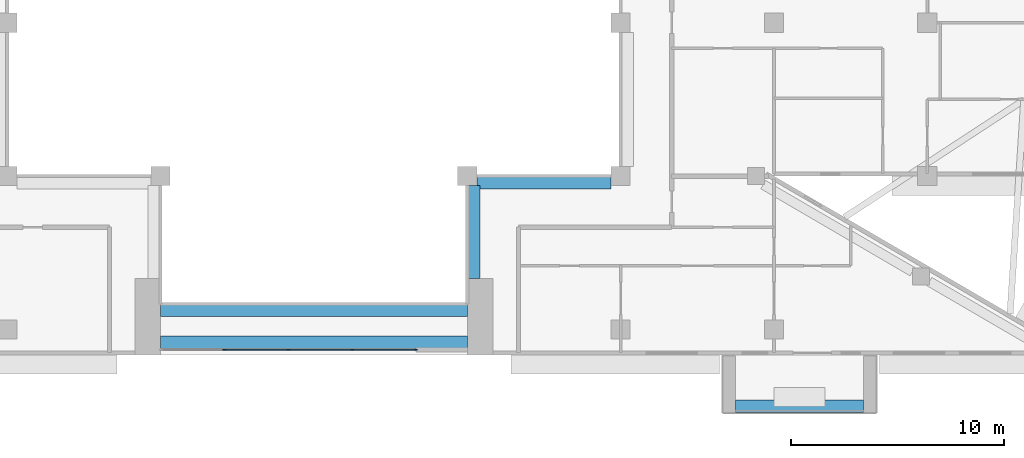
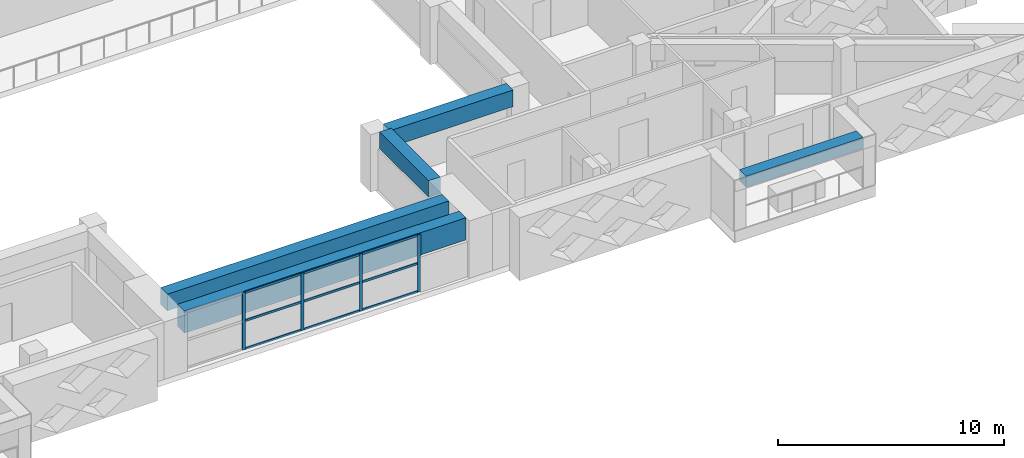
# One storey, part 4 of 20: 13 members, 5 beams, 1 element without a shape of its own.
"""IFC4 building model written with IfcOpenShell, lengths in metres."""

from ifc_helpers import new_model, si_unit, direction, frame, origin, origin_2d, place, context, subcontext, project, spatial, rectangle, extrude, source, transform, mapped, material, layer, layer_set, material_profile, profile_set, type_object, element, aggregate, save


model = new_model("IFC4")

# Units and contexts
model_context = context("Model", 3, precision=1e-05, world=origin(), true_north=direction((0.0, 1.0)))
body_context = subcontext(model_context, "Body", "Model", "MODEL_VIEW")
ifc_project = project(units=[si_unit("LENGTHUNIT", "METRE"), si_unit("AREAUNIT", "SQUARE_METRE"), si_unit("VOLUMEUNIT", "CUBIC_METRE"), si_unit("PLANEANGLEUNIT", "RADIAN"), si_unit("MASSUNIT", "GRAM", prefix="KILO")], contexts=[model_context])

# Site, building, storey
site_placement = place(None, origin())
site = spatial("IfcSite", under=ifc_project, at=site_placement, CompositionType="ELEMENT")
building_placement = place(site_placement, origin())
building = spatial("IfcBuilding", under=site, at=building_placement, Name="Saffron Iwan Residences", CompositionType="ELEMENT")
storey_placement = place(building_placement, frame((0.0, 0.0, 202.5)))
storey = spatial("IfcBuildingStorey", under=building, at=storey_placement, Name="L54", CompositionType="ELEMENT", Elevation=202.5)

# Beams
ifc_material_1 = material(Name="Concrete C50/60", Category="concrete")
ifc_material_profile_1 = material_profile(ifc_material_1, rectangle(XDim=0.60009765625, YDim=1.199951171875, at=origin_2d()), Name="RC 600x1200")
ifc_profile_set_1 = profile_set([ifc_material_profile_1], Name="Concrete C50/60")
beam_type_1 = type_object("IfcBeamType", Name="LINTEL BEAM RC 600x1200 C50/60 TOP 3100", PredefinedType="LINTEL", material=ifc_profile_set_1)
shared_shape_1 = source(origin(), body_context, "Body", "SweptSolid", [
    extrude(rectangle(XDim=0.60009765625, YDim=1.199951171875, at=origin_2d()), origin(), (0.0, 0.0, 1.0), 14.400146484375),
])
beam_1_placement = place(storey_placement, frame((57.60009765625, 40.199951171875, 2.5), z_axis=(-1.0, 0.0, 0.0), x_axis=(0.0, -1.0, 0.0)))
element("IfcBeam", 1, at=beam_1_placement, inside=storey, type_object=beam_type_1, Name="Lintel beam over the iwan", PredefinedType="LINTEL", context=body_context, shape_type="MappedRepresentation", body=[
    mapped(shared_shape_1, transform((0.0, 0.0, 0.0))),
])
ifc_material_profile_2 = material_profile(ifc_material_1, rectangle(XDim=0.60009765625, YDim=0.89990234375, at=origin_2d()), Name="RC 600x900")
ifc_profile_set_2 = profile_set([ifc_material_profile_2], Name="Concrete C50/60")
beam_type_2 = type_object("IfcBeamType", Name="BEAM RC 600x900 C50/60 TOP 3100", PredefinedType="BEAM", material=ifc_profile_set_2)
shared_shape_2 = source(origin(), body_context, "Body", "SweptSolid", [
    extrude(rectangle(XDim=0.60009765625, YDim=0.89990234375, at=origin_2d()), origin(), (0.0, 0.0, 1.0), 14.400146484375),
])
beam_2_placement = place(storey_placement, frame((57.60009765625, 41.699951171875, 2.64990234375), z_axis=(-1.0, 0.0, 0.0), x_axis=(0.0, -1.0, 0.0)))
element("IfcBeam", 2, at=beam_2_placement, inside=storey, type_object=beam_type_2, Name="Atrium edge beam", PredefinedType="BEAM", context=body_context, shape_type="MappedRepresentation", body=[
    mapped(shared_shape_2, transform((0.0, 0.0, 0.0))),
])
shared_shape_3 = source(origin(), body_context, "Body", "SweptSolid", [
    extrude(rectangle(XDim=0.60009765625, YDim=0.89990234375, at=origin_2d()), origin(), (0.0, 0.0, 1.0), 4.35009765625),
])
beam_3_placement = place(storey_placement, frame((57.89990234375, 47.550048828125, 2.64990234375), z_axis=(0.0, -1.0, 0.0), x_axis=(1.0, 0.0, 0.0)))
element("IfcBeam", 3, at=beam_3_placement, inside=storey, type_object=beam_type_2, Name="Atrium edge beam", PredefinedType="BEAM", context=body_context, shape_type="MappedRepresentation", body=[
    mapped(shared_shape_3, transform((0.0, 0.0, 0.0))),
])
shared_shape_4 = source(origin(), body_context, "Body", "SweptSolid", [
    extrude(rectangle(XDim=0.60009765625, YDim=0.89990234375, at=origin_2d()), origin(), (0.0, 0.0, 1.0), 6.300048828125),
])
beam_4_placement = place(storey_placement, frame((64.35009765625, 47.699951171875, 2.64990234375), z_axis=(-1.0, 0.0, 0.0), x_axis=(0.0, -1.0, 0.0)))
element("IfcBeam", 4, at=beam_4_placement, inside=storey, type_object=beam_type_2, Name="Atrium edge beam", PredefinedType="BEAM", context=body_context, shape_type="MappedRepresentation", body=[
    mapped(shared_shape_4, transform((0.0, 0.0, 0.0))),
])

# Curtain wall, members
ifc_material_2 = material(Name="Clear glass, laminated double glazed", Category="glass")
ifc_layer = layer(ifc_material_2, 0.199951171875)
ifc_layer_set = layer_set([ifc_layer], Name="Clear glass, laminated double glazed")
curtain_wall_type = type_object("IfcCurtainWallType", Name="CW-B IWAN PORTAL", PredefinedType="NOTDEFINED", material=ifc_layer_set)
curtain_wall_placement = place(storey_placement, origin())
curtain_wall = element("IfcCurtainWall", 5, at=curtain_wall_placement, inside=storey, type_object=curtain_wall_type, Name="Iwan portal glazing L54.1", PredefinedType="NOTDEFINED")
ifc_material_3 = material(Name="Aluminium 6063-T6", Category="aluminium")
ifc_material_profile_3 = material_profile(ifc_material_3, rectangle(XDim=0.06005859375, YDim=0.1201171875, at=origin_2d()), Name="CW-B TRANSOM 60 x 120")
ifc_profile_set_3 = profile_set([ifc_material_profile_3], Name="Aluminium 6063-T6")
member_type_1 = type_object("IfcMemberType", Name="CW-B TRANSOM 60 x 120", PredefinedType="USERDEFINED", material=ifc_profile_set_3)
shared_shape_5 = source(origin(), body_context, "Body", "SweptSolid", [
    extrude(rectangle(XDim=0.06005859375, YDim=0.1201171875, at=origin_2d()), origin(), (0.0, 0.0, 1.0), 2.909912109375),
])
member_1_placement = place(storey_placement, frame((52.22998046875, 39.85009765625, 0.030029296875), z_axis=(1.0, 0.0, 0.0), x_axis=(0.0, 1.0, 0.0)))
member_1 = element("IfcMember", 6, at=member_1_placement, type_object=member_type_1, Name="CW-B transom 4.1", ObjectType="TRANSOM", PredefinedType="USERDEFINED", context=body_context, shape_type="MappedRepresentation", body=[
    mapped(shared_shape_5, transform((0.0, 0.0, 0.0))),
])
member_2_placement = place(storey_placement, frame((52.22998046875, 39.85009765625, 1.550048828125), z_axis=(1.0, 0.0, 0.0), x_axis=(0.0, 1.0, 0.0)))
member_2 = element("IfcMember", 7, at=member_2_placement, type_object=member_type_1, Name="CW-B transom 4.2", ObjectType="TRANSOM", PredefinedType="USERDEFINED", context=body_context, shape_type="MappedRepresentation", body=[
    mapped(shared_shape_5, transform((0.0, 0.0, 0.0))),
])
member_3_placement = place(storey_placement, frame((52.22998046875, 39.85009765625, 3.070068359375), z_axis=(1.0, 0.0, 0.0), x_axis=(0.0, 1.0, 0.0)))
member_3 = element("IfcMember", 8, at=member_3_placement, type_object=member_type_1, Name="CW-B transom 4.3", ObjectType="TRANSOM", PredefinedType="USERDEFINED", context=body_context, shape_type="MappedRepresentation", body=[
    mapped(shared_shape_5, transform((0.0, 0.0, 0.0))),
])
shared_shape_6 = source(origin(), body_context, "Body", "SweptSolid", [
    extrude(rectangle(XDim=0.06005859375, YDim=0.1201171875, at=origin_2d()), origin(), (0.0, 0.0, 1.0), 2.93994140625),
])
member_4_placement = place(storey_placement, frame((46.22998046875, 39.85009765625, 0.030029296875), z_axis=(1.0, 0.0, 0.0), x_axis=(0.0, 1.0, 0.0)))
member_4 = element("IfcMember", 9, at=member_4_placement, type_object=member_type_1, Name="CW-B transom 2.1", ObjectType="TRANSOM", PredefinedType="USERDEFINED", context=body_context, shape_type="MappedRepresentation", body=[
    mapped(shared_shape_6, transform((0.0, 0.0, 0.0))),
])
member_5_placement = place(storey_placement, frame((46.22998046875, 39.85009765625, 1.550048828125), z_axis=(1.0, 0.0, 0.0), x_axis=(0.0, 1.0, 0.0)))
member_5 = element("IfcMember", 10, at=member_5_placement, type_object=member_type_1, Name="CW-B transom 2.2", ObjectType="TRANSOM", PredefinedType="USERDEFINED", context=body_context, shape_type="MappedRepresentation", body=[
    mapped(shared_shape_6, transform((0.0, 0.0, 0.0))),
])
member_6_placement = place(storey_placement, frame((46.22998046875, 39.85009765625, 3.070068359375), z_axis=(1.0, 0.0, 0.0), x_axis=(0.0, 1.0, 0.0)))
member_6 = element("IfcMember", 11, at=member_6_placement, type_object=member_type_1, Name="CW-B transom 2.3", ObjectType="TRANSOM", PredefinedType="USERDEFINED", context=body_context, shape_type="MappedRepresentation", body=[
    mapped(shared_shape_6, transform((0.0, 0.0, 0.0))),
])
member_7_placement = place(storey_placement, frame((49.22998046875, 39.85009765625, 0.030029296875), z_axis=(1.0, 0.0, 0.0), x_axis=(0.0, 1.0, 0.0)))
member_7 = element("IfcMember", 12, at=member_7_placement, type_object=member_type_1, Name="CW-B transom 3.1", ObjectType="TRANSOM", PredefinedType="USERDEFINED", context=body_context, shape_type="MappedRepresentation", body=[
    mapped(shared_shape_6, transform((0.0, 0.0, 0.0))),
])
member_8_placement = place(storey_placement, frame((49.22998046875, 39.85009765625, 1.550048828125), z_axis=(1.0, 0.0, 0.0), x_axis=(0.0, 1.0, 0.0)))
member_8 = element("IfcMember", 13, at=member_8_placement, type_object=member_type_1, Name="CW-B transom 3.2", ObjectType="TRANSOM", PredefinedType="USERDEFINED", context=body_context, shape_type="MappedRepresentation", body=[
    mapped(shared_shape_6, transform((0.0, 0.0, 0.0))),
])
member_9_placement = place(storey_placement, frame((49.22998046875, 39.85009765625, 3.070068359375), z_axis=(1.0, 0.0, 0.0), x_axis=(0.0, 1.0, 0.0)))
member_9 = element("IfcMember", 14, at=member_9_placement, type_object=member_type_1, Name="CW-B transom 3.3", ObjectType="TRANSOM", PredefinedType="USERDEFINED", context=body_context, shape_type="MappedRepresentation", body=[
    mapped(shared_shape_6, transform((0.0, 0.0, 0.0))),
])

# Beam
ifc_material_4 = material(Name="Concrete C50/60 white painted", Category="concrete")
ifc_material_profile_4 = material_profile(ifc_material_4, rectangle(XDim=0.60009765625, YDim=0.60009765625, at=origin_2d()), Name="BALCONY FASCIA BEAM 600 x 600")
ifc_profile_set_4 = profile_set([ifc_material_profile_4], Name="Concrete C50/60 white painted")
beam_type_3 = type_object("IfcBeamType", Name="BALCONY FASCIA BEAM 600 x 600", PredefinedType="BEAM", material=ifc_profile_set_4)
shared_shape_7 = source(origin(), body_context, "Body", "SweptSolid", [
    extrude(rectangle(XDim=0.60009765625, YDim=0.60009765625, at=origin_2d()), origin(), (0.0, 0.0, 1.0), 6.0),
])
beam_5_placement = place(storey_placement, frame((70.199951171875, 37.199951171875, 2.449951171875), z_axis=(1.0, 0.0, 0.0), x_axis=(0.0, 1.0, 0.0)))
element("IfcBeam", 15, at=beam_5_placement, inside=storey, type_object=beam_type_3, Name="Balcony fascia beam L54 11-1", PredefinedType="BEAM", context=body_context, shape_type="MappedRepresentation", body=[
    mapped(shared_shape_7, transform((0.0, 0.0, 0.0))),
])

# Member
ifc_material_profile_5 = material_profile(ifc_material_3, rectangle(XDim=0.06005859375, YDim=0.159912109375, at=origin_2d()), Name="CW-B MULLION 60 x 160")
ifc_profile_set_5 = profile_set([ifc_material_profile_5], Name="Aluminium 6063-T6")
member_type_2 = type_object("IfcMemberType", Name="CW-B MULLION 60 x 160", PredefinedType="MULLION", material=ifc_profile_set_5)
shared_shape_8 = source(origin(), body_context, "Body", "SweptSolid", [
    extrude(rectangle(XDim=0.06005859375, YDim=0.159912109375, at=origin_2d()), origin(), (0.0, 0.0, 1.0), 3.10009765625),
])
member_10_placement = place(storey_placement, frame((46.199951171875, 39.85009765625, 0.0), z_axis=(0.0, 0.0, 1.0), x_axis=(0.0, 1.0, 0.0)))
member_10 = element("IfcMember", 16, at=member_10_placement, type_object=member_type_2, Name="CW-B mullion 2", PredefinedType="MULLION", context=body_context, shape_type="MappedRepresentation", body=[
    mapped(shared_shape_8, transform((0.0, 0.0, 0.0))),
])

member_11_placement = place(storey_placement, frame((49.199951171875, 39.85009765625, 0.0), z_axis=(0.0, 0.0, 1.0), x_axis=(0.0, 1.0, 0.0)))
member_11 = element("IfcMember", 17, at=member_11_placement, type_object=member_type_2, Name="CW-B mullion 3", PredefinedType="MULLION", context=body_context, shape_type="MappedRepresentation", body=[
    mapped(shared_shape_8, transform((0.0, 0.0, 0.0))),
])

member_12_placement = place(storey_placement, frame((52.199951171875, 39.85009765625, 0.0), z_axis=(0.0, 0.0, 1.0), x_axis=(0.0, 1.0, 0.0)))
member_12 = element("IfcMember", 18, at=member_12_placement, type_object=member_type_2, Name="CW-B mullion 4", PredefinedType="MULLION", context=body_context, shape_type="MappedRepresentation", body=[
    mapped(shared_shape_8, transform((0.0, 0.0, 0.0))),
])

member_13_placement = place(storey_placement, frame((55.169921875, 39.85009765625, 0.0), z_axis=(0.0, 0.0, 1.0), x_axis=(0.0, 1.0, 0.0)))
member_13 = element("IfcMember", 19, at=member_13_placement, type_object=member_type_2, Name="CW-B mullion 5", PredefinedType="MULLION", context=body_context, shape_type="MappedRepresentation", body=[
    mapped(shared_shape_8, transform((0.0, 0.0, 0.0))),
])

aggregate(curtain_wall, [member_10, member_11, member_12, member_13, member_4, member_5, member_6, member_7, member_8, member_9, member_1, member_2, member_3])

save(model, "model.ifc")
